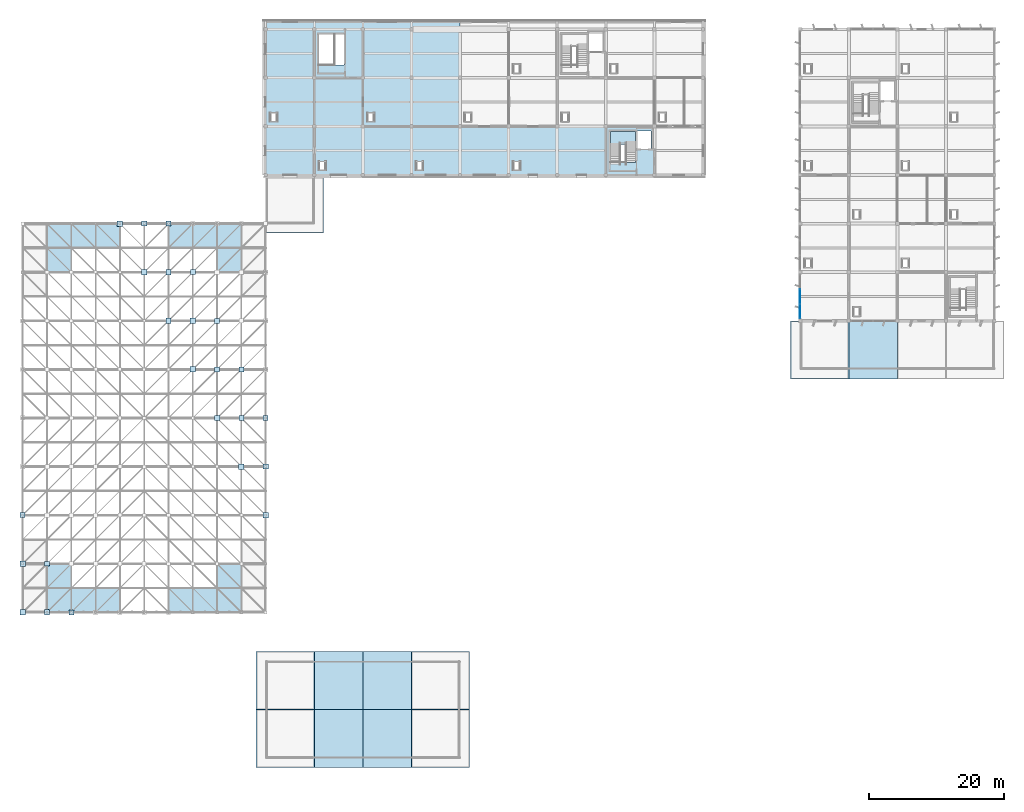
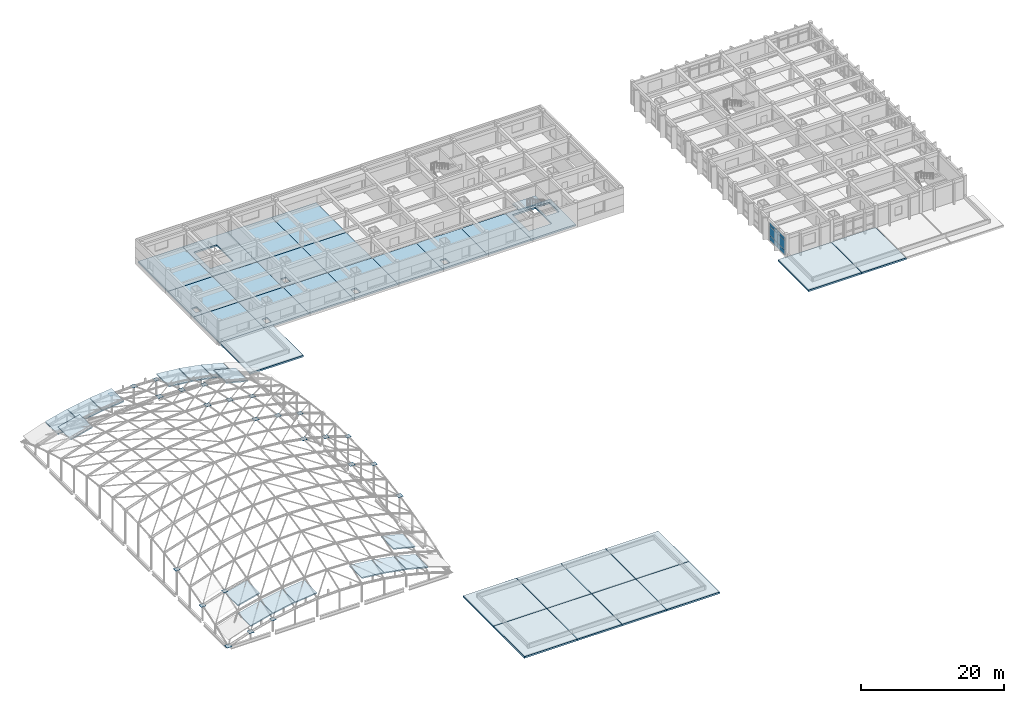
# One storey, part 24 of 40: 44 slabs, 30 plates, 2 elements without a shape of their own.
"""IFC4 building model written with IfcOpenShell, lengths in metres."""

from ifc_helpers import new_model, si_unit, direction, frame, origin, origin_2d, place, context, subcontext, project, spatial, polyline, rectangle, outline, extrude, material, layer, layer_set, type_object, element, aggregate, save


model = new_model("IFC4")

# Units and contexts
model_context = context("Model", 3, precision=1e-05, world=origin(), true_north=direction((0.0, 1.0)))
body_context = subcontext(model_context, "Body", "Model", "MODEL_VIEW")
ifc_project = project(units=[si_unit("LENGTHUNIT", "METRE"), si_unit("AREAUNIT", "SQUARE_METRE"), si_unit("VOLUMEUNIT", "CUBIC_METRE"), si_unit("PLANEANGLEUNIT", "RADIAN"), si_unit("MASSUNIT", "GRAM", prefix="KILO")], contexts=[model_context])

# Site, building, storey
site_placement = place(None, origin())
site = spatial("IfcSite", under=ifc_project, at=site_placement, CompositionType="ELEMENT")
building_placement = place(site_placement, origin())
building = spatial("IfcBuilding", under=site, at=building_placement, Name="Kavelor Marine Aquarium", CompositionType="ELEMENT")
storey_placement = place(building_placement, frame((0.0, 0.0, 17.639892578125)))
storey = spatial("IfcBuildingStorey", under=building, at=storey_placement, Name="L04", CompositionType="ELEMENT", Elevation=17.639892578125)

# Curtain wall, plates
ifc_material_1 = material(Name="Thermally Broken Aluminium and Low-E Glass", Category="aluminium")
ifc_layer_1 = layer(ifc_material_1, 0.283935546875)
ifc_layer_set_1 = layer_set([ifc_layer_1], Name="CW-SYS18")
curtain_wall_type = type_object("IfcCurtainWallType", Name="CW-SYS18", PredefinedType="USERDEFINED", material=ifc_layer_set_1)
curtain_wall_placement = place(storey_placement, origin())
curtain_wall = element("IfcCurtainWall", 1, at=curtain_wall_placement, inside=storey, type_object=curtain_wall_type, Name="cw:y:L04:16_09", ObjectType="Curtain Wall", PredefinedType="USERDEFINED")
ifc_material_2 = material(Name="Solar-Control Double Low-E Glazing", Category="glass")
ifc_layer_2 = layer(ifc_material_2, 0.06005859375)
ifc_layer_set_2 = layer_set([ifc_layer_2], Name="CWP-18")
plate_type_1 = type_object("IfcPlateType", Name="CWP-18", PredefinedType="CURTAIN_PANEL", material=ifc_layer_set_2)
plate_1_placement = place(storey_placement, frame((118.39990234375, 71.199951171875, 0.074951171875), z_axis=(0.0, 0.0, 1.0), x_axis=(0.0, -1.0, 0.0)))
plate_1 = element("IfcPlate", 2, at=plate_1_placement, type_object=plate_type_1, Name="CW18 panel 2.1", PredefinedType="CURTAIN_PANEL", context=body_context, shape_type="SweptSolid", body=[
    extrude(rectangle(XDim=2.143310546875, YDim=0.06005859375, at=origin_2d()), origin(), (0.0, 0.0, 1.0), 0.78759765625),
])
plate_2_placement = place(storey_placement, frame((118.39990234375, 71.199951171875, 0.9375), z_axis=(0.0, 0.0, 1.0), x_axis=(0.0, -1.0, 0.0)))
plate_2 = element("IfcPlate", 3, at=plate_2_placement, type_object=plate_type_1, Name="CW18 panel 2.2", PredefinedType="CURTAIN_PANEL", context=body_context, shape_type="SweptSolid", body=[
    extrude(rectangle(XDim=2.143310546875, YDim=0.06005859375, at=origin_2d()), origin(), (0.0, 0.0, 1.0), 1.4951171875),
])
plate_3_placement = place(storey_placement, frame((118.39990234375, 71.199951171875, 2.507568359375), z_axis=(0.0, 0.0, 1.0), x_axis=(0.0, -1.0, 0.0)))
plate_3 = element("IfcPlate", 4, at=plate_3_placement, type_object=plate_type_1, Name="CW18 panel 2.3", PredefinedType="CURTAIN_PANEL", context=body_context, shape_type="SweptSolid", body=[
    extrude(rectangle(XDim=2.143310546875, YDim=0.06005859375, at=origin_2d()), origin(), (0.0, 0.0, 1.0), 0.53759765625),
])
plate_4_placement = place(storey_placement, frame((118.39990234375, 69.01171875, 0.074951171875), z_axis=(0.0, 0.0, 1.0), x_axis=(0.0, -1.0, 0.0)))
plate_4 = element("IfcPlate", 5, at=plate_4_placement, type_object=plate_type_1, Name="CW18 panel 3.1", PredefinedType="CURTAIN_PANEL", context=body_context, shape_type="SweptSolid", body=[
    extrude(rectangle(XDim=2.11328125, YDim=0.06005859375, at=origin_2d()), origin(), (0.0, 0.0, 1.0), 0.78759765625),
])
plate_5_placement = place(storey_placement, frame((118.39990234375, 69.01171875, 0.9375), z_axis=(0.0, 0.0, 1.0), x_axis=(0.0, -1.0, 0.0)))
plate_5 = element("IfcPlate", 6, at=plate_5_placement, type_object=plate_type_1, Name="CW18 panel 3.2", PredefinedType="CURTAIN_PANEL", context=body_context, shape_type="SweptSolid", body=[
    extrude(rectangle(XDim=2.11328125, YDim=0.06005859375, at=origin_2d()), origin(), (0.0, 0.0, 1.0), 1.4951171875),
])
plate_6_placement = place(storey_placement, frame((118.39990234375, 69.01171875, 2.507568359375), z_axis=(0.0, 0.0, 1.0), x_axis=(0.0, -1.0, 0.0)))
plate_6 = element("IfcPlate", 7, at=plate_6_placement, type_object=plate_type_1, Name="CW18 panel 3.3", PredefinedType="CURTAIN_PANEL", context=body_context, shape_type="SweptSolid", body=[
    extrude(rectangle(XDim=2.11328125, YDim=0.06005859375, at=origin_2d()), origin(), (0.0, 0.0, 1.0), 0.53759765625),
])
aggregate(curtain_wall, [plate_1, plate_2, plate_3, plate_4, plate_5, plate_6])

# Stair, slab
ifc_material_3 = material(Name="Concrete C40/50", Category="concrete")
stair_type = type_object("IfcStairType", Name="ST-T5", PredefinedType="HALF_TURN_STAIR", material=ifc_material_3)
stair_placement = place(storey_placement, origin())
stair = element("IfcStair", 8, at=stair_placement, inside=storey, type_object=stair_type, Name="Exit Stair ST07 (L04)", PredefinedType="HALF_TURN_STAIR")
ifc_material_4 = material(Name="Concrete C40/50", Category="concrete")
ifc_layer_3 = layer(ifc_material_4, 0.199951171875)
ifc_layer_set_3 = layer_set([ifc_layer_3], Name="LND-T5")
slab_type_1 = type_object("IfcSlabType", Name="LND-T5", PredefinedType="LANDING", material=ifc_layer_set_3)
slab_1_placement = place(storey_placement, frame((0.0, 0.0, 1.780029296875)))
slab_1 = element("IfcSlab", 9, at=slab_1_placement, type_object=slab_type_1, Name="ST07 landing 1", PredefinedType="LANDING", context=body_context, shape_type="SweptSolid", body=[
    extrude(outline(polyline([(90.260009765625, 93.748046875), (94.02001953125, 93.748046875), (94.02001953125, 95.659912109375), (90.260009765625, 95.659912109375), (90.260009765625, 93.748046875)])), origin(), (0.0, 0.0, 1.0), 0.2001953125),
])
aggregate(stair, [slab_1])

# Plates
ifc_material_5 = material(Name="Steel S355", Category="steel")
ifc_layer_4 = layer(ifc_material_5, 0.034423828125)
ifc_layer_set_4 = layer_set([ifc_layer_4], Name="PL-GP01")
plate_type_2 = type_object("IfcPlateType", Name="PL-GP01", PredefinedType="SHEET", material=ifc_layer_set_4)
for number, where, z_axis, x_axis, name in (
    (10, (3.199951171875, 24.39990234375, -0.01708984375), (0.0, 0.0, 1.0), (1.0, 0.0, 0.0), "gs:gusset:00_00"),
    (11, (17.60009765625, 82.0, 3.07275390625), (0.0, 0.0, 1.0), (1.0, 0.0, 0.0), "gs:gusset:04_16"),
    (12, (21.199951171875, 74.800048828125, 5.78662109375), (0.0, 0.0, 1.0), (1.0, 0.0, 0.0), "gs:gusset:05_14"),
    (13, (24.800048828125, 67.60009765625, 7.45458984375), (0.0, 0.0, 1.0), (1.0, 0.0, 0.0), "gs:gusset:06_12"),
    (14, (28.39990234375, 60.39990234375, 8.1337890625), (0.0, 0.0, 1.0), (1.0, 0.0, 0.0), "gs:gusset:07_10"),
    (15, (32.0, 53.199951171875, 7.84912109375), (0.0, 0.0, 1.0), (1.0, 0.0, 0.0), "gs:gusset:08_08"),
    (16, (35.60009765625, 46.0, 6.60107421875), (0.0, 0.0, 1.0), (1.0, 0.0, 0.0), "gs:gusset:09_06"),
    (17, (39.199951171875, 38.800048828125, 4.36474609375), (0.0, 0.0, 1.0), (1.0, 0.0, 0.0), "gs:gusset:10_04"),
):
    element("IfcPlate", number, at=place(storey_placement, frame(where, z_axis=z_axis, x_axis=x_axis)), inside=storey, type_object=plate_type_2, Name=name, PredefinedType="SHEET", context=body_context, shape_type="SweptSolid", body=[
        extrude(rectangle(XDim=0.804931640625, YDim=0.804931640625, at=origin_2d()), origin(), (0.0, 0.0, 1.0), 0.034423828125),
    ])
ifc_material_6 = material(Name="Steel S355", Category="steel")
ifc_layer_5 = layer(ifc_material_6, 0.032958984375)
ifc_layer_set_5 = layer_set([ifc_layer_5], Name="PL-GP02")
plate_type_3 = type_object("IfcPlateType", Name="PL-GP02", PredefinedType="SHEET", material=ifc_layer_set_5)
for number, where, z_axis, x_axis, name in (
    (18, (3.199951171875, 31.60009765625, 2.572265625), (0.0, 0.0, 1.0), (1.0, 0.0, 0.0), "gs:gusset:00_02"),
    (19, (6.800048828125, 24.39990234375, 1.16455078125), (0.0, 0.0, 1.0), (1.0, 0.0, 0.0), "gs:gusset:01_00"),
    (20, (21.199951171875, 82.0, 3.1982421875), (0.0, 0.0, 1.0), (1.0, 0.0, 0.0), "gs:gusset:05_16"),
    (21, (24.800048828125, 74.800048828125, 5.66259765625), (0.0, 0.0, 1.0), (1.0, 0.0, 0.0), "gs:gusset:06_14"),
    (22, (28.39990234375, 67.60009765625, 7.0791015625), (0.0, 0.0, 1.0), (1.0, 0.0, 0.0), "gs:gusset:07_12"),
    (23, (32.0, 60.39990234375, 7.50146484375), (0.0, 0.0, 1.0), (1.0, 0.0, 0.0), "gs:gusset:08_10"),
    (24, (35.60009765625, 53.199951171875, 6.9501953125), (0.0, 0.0, 1.0), (1.0, 0.0, 0.0), "gs:gusset:09_08"),
    (25, (39.199951171875, 46.0, 5.42041015625), (0.0, 0.0, 1.0), (1.0, 0.0, 0.0), "gs:gusset:10_06"),
):
    element("IfcPlate", number, at=place(storey_placement, frame(where, z_axis=z_axis, x_axis=x_axis)), inside=storey, type_object=plate_type_3, Name=name, PredefinedType="SHEET", context=body_context, shape_type="SweptSolid", body=[
        extrude(rectangle(XDim=0.77001953125, YDim=0.77001953125, at=origin_2d()), origin(), (0.0, 0.0, 1.0), 0.032958984375),
    ])
ifc_material_7 = material(Name="Steel S355", Category="steel")
ifc_layer_6 = layer(ifc_material_7, 0.031494140625)
ifc_layer_set_6 = layer_set([ifc_layer_6], Name="PL-GP03")
plate_type_4 = type_object("IfcPlateType", Name="PL-GP03", PredefinedType="SHEET", material=ifc_layer_set_6)
for number, where, z_axis, x_axis, name in (
    (26, (3.199951171875, 38.800048828125, 4.3662109375), (0.0, 0.0, 1.0), (1.0, 0.0, 0.0), "gs:gusset:00_04"),
    (27, (6.800048828125, 31.60009765625, 3.75439453125), (0.0, 0.0, 1.0), (1.0, 0.0, 0.0), "gs:gusset:01_02"),
    (28, (10.39990234375, 24.39990234375, 2.0654296875), (0.0, 0.0, 1.0), (1.0, 0.0, 0.0), "gs:gusset:02_00"),
    (29, (24.800048828125, 82.0, 3.07421875), (0.0, 0.0, 1.0), (1.0, 0.0, 0.0), "gs:gusset:06_16"),
    (30, (28.39990234375, 74.800048828125, 5.287109375), (0.0, 0.0, 1.0), (1.0, 0.0, 0.0), "gs:gusset:07_14"),
    (31, (32.0, 67.60009765625, 6.447265625), (0.0, 0.0, 1.0), (1.0, 0.0, 0.0), "gs:gusset:08_12"),
    (32, (35.60009765625, 60.39990234375, 6.6025390625), (0.0, 0.0, 1.0), (1.0, 0.0, 0.0), "gs:gusset:09_10"),
    (33, (39.199951171875, 53.199951171875, 5.76953125), (0.0, 0.0, 1.0), (1.0, 0.0, 0.0), "gs:gusset:10_08"),
):
    element("IfcPlate", number, at=place(storey_placement, frame(where, z_axis=z_axis, x_axis=x_axis)), inside=storey, type_object=plate_type_4, Name=name, PredefinedType="SHEET", context=body_context, shape_type="SweptSolid", body=[
        extrude(rectangle(XDim=0.735107421875, YDim=0.735107421875, at=origin_2d()), origin(), (0.0, 0.0, 1.0), 0.031494140625),
    ])

# Slabs
ifc_material_8 = material(Name="Concrete C40/50", Category="concrete")
ifc_layer_7 = layer(ifc_material_8, 0.280029296875)
ifc_layer_set_7 = layer_set([ifc_layer_7], Name="SL-FL2")
slab_type_2 = type_object("IfcSlabType", Name="SL-FL2", PredefinedType="FLOOR", material=ifc_layer_set_7)
slab_2_placement = place(storey_placement, frame((0.0, 0.0, -0.27978515625)))
element("IfcSlab", 34, at=slab_2_placement, inside=storey, type_object=slab_type_2, Name="slab:L04:06_12", PredefinedType="FLOOR", context=body_context, shape_type="SweptSolid", body=[
    extrude(outline(polyline([(46.39990234375, 89.199951171875), (53.60009765625, 89.199951171875), (53.60009765625, 96.39990234375), (46.39990234375, 96.39990234375), (46.39990234375, 89.199951171875)]), holes=[polyline([(47.14990234375, 89.949951171875), (48.050048828125, 89.949951171875), (48.050048828125, 91.14990234375), (47.14990234375, 91.14990234375), (47.14990234375, 89.949951171875)])]), origin(), (0.0, 0.0, 1.0), 0.27978515625),
])
slab_3_placement = place(storey_placement, frame((0.0, 0.0, -0.27978515625)))
element("IfcSlab", 35, at=slab_3_placement, inside=storey, type_object=slab_type_2, Name="slab:L04:06_13", PredefinedType="FLOOR", context=body_context, shape_type="SweptSolid", body=[
    extrude(outline(polyline([(46.39990234375, 96.39990234375), (53.60009765625, 96.39990234375), (53.60009765625, 103.60009765625), (46.39990234375, 103.60009765625), (46.39990234375, 96.39990234375)])), origin(), (0.0, 0.0, 1.0), 0.27978515625),
])
slab_4_placement = place(storey_placement, frame((0.0, 0.0, -0.27978515625)))
element("IfcSlab", 36, at=slab_4_placement, inside=storey, type_object=slab_type_2, Name="slab:L04:06_14", PredefinedType="FLOOR", context=body_context, shape_type="SweptSolid", body=[
    extrude(outline(polyline([(46.39990234375, 103.60009765625), (53.60009765625, 103.60009765625), (53.60009765625, 112.0400390625), (46.39990234375, 112.0400390625), (46.39990234375, 103.60009765625)]), holes=[polyline([(47.080078125, 105.48291015625), (50.800048828125, 105.48291015625), (50.800048828125, 110.070068359375), (47.080078125, 110.070068359375), (47.080078125, 105.48291015625)])]), origin(), (0.0, 0.0, 1.0), 0.27978515625),
])
slab_5_placement = place(storey_placement, frame((0.0, 0.0, -0.27978515625)))
element("IfcSlab", 37, at=slab_5_placement, inside=storey, type_object=slab_type_2, Name="slab:L04:08_12", PredefinedType="FLOOR", context=body_context, shape_type="SweptSolid", body=[
    extrude(outline(polyline([(60.800048828125, 89.199951171875), (68.0, 89.199951171875), (68.0, 96.39990234375), (60.800048828125, 96.39990234375), (60.800048828125, 89.199951171875)]), holes=[polyline([(61.550048828125, 89.949951171875), (62.449951171875, 89.949951171875), (62.449951171875, 91.14990234375), (61.550048828125, 91.14990234375), (61.550048828125, 89.949951171875)])]), origin(), (0.0, 0.0, 1.0), 0.27978515625),
])
slab_6_placement = place(storey_placement, frame((0.0, 0.0, -0.27978515625)))
element("IfcSlab", 38, at=slab_6_placement, inside=storey, type_object=slab_type_2, Name="slab:L04:08_13", PredefinedType="FLOOR", context=body_context, shape_type="SweptSolid", body=[
    extrude(outline(polyline([(60.800048828125, 96.39990234375), (68.0, 96.39990234375), (68.0, 103.60009765625), (60.800048828125, 103.60009765625), (60.800048828125, 96.39990234375)])), origin(), (0.0, 0.0, 1.0), 0.27978515625),
])
slab_7_placement = place(storey_placement, frame((0.0, 0.0, -0.27978515625)))
element("IfcSlab", 39, at=slab_7_placement, inside=storey, type_object=slab_type_2, Name="slab:L04:08_14", PredefinedType="FLOOR", context=body_context, shape_type="SweptSolid", body=[
    extrude(outline(polyline([(60.800048828125, 103.60009765625), (68.0, 103.60009765625), (68.0, 112.0400390625), (60.800048828125, 112.0400390625), (60.800048828125, 103.60009765625)])), origin(), (0.0, 0.0, 1.0), 0.27978515625),
])
slab_8_placement = place(storey_placement, frame((0.0, 0.0, -0.27978515625)))
element("IfcSlab", 40, at=slab_8_placement, inside=storey, type_object=slab_type_2, Name="slab:L04:10_12", PredefinedType="FLOOR", context=body_context, shape_type="SweptSolid", body=[
    extrude(outline(polyline([(75.199951171875, 89.199951171875), (82.39990234375, 89.199951171875), (82.39990234375, 96.39990234375), (75.199951171875, 96.39990234375), (75.199951171875, 89.199951171875)]), holes=[polyline([(75.949951171875, 89.949951171875), (76.85009765625, 89.949951171875), (76.85009765625, 91.14990234375), (75.949951171875, 91.14990234375), (75.949951171875, 89.949951171875)])]), origin(), (0.0, 0.0, 1.0), 0.27978515625),
])
slab_9_placement = place(storey_placement, frame((0.0, 0.0, -0.27978515625)))
element("IfcSlab", 41, at=slab_9_placement, inside=storey, type_object=slab_type_2, Name="slab:L04:12_12", PredefinedType="FLOOR", context=body_context, shape_type="SweptSolid", body=[
    extrude(outline(polyline([(89.60009765625, 89.199951171875), (96.800048828125, 89.199951171875), (96.800048828125, 96.39990234375), (89.60009765625, 96.39990234375), (89.60009765625, 89.199951171875)]), holes=[polyline([(90.280029296875, 91.0830078125), (94.0, 91.0830078125), (94.0, 95.669921875), (90.280029296875, 95.669921875), (90.280029296875, 91.0830078125)]), polyline([(94.260009765625, 93.050048828125), (96.300048828125, 93.050048828125), (96.300048828125, 95.75), (94.199951171875, 95.75), (94.260009765625, 93.050048828125)])]), origin(), (0.0, 0.0, 1.0), 0.27978515625),
])
ifc_material_9 = material(Name="Concrete C40/50", Category="concrete")
ifc_layer_8 = layer(ifc_material_9, 0.260009765625)
ifc_layer_set_8 = layer_set([ifc_layer_8], Name="SL-FL3")
slab_type_3 = type_object("IfcSlabType", Name="SL-FL3", PredefinedType="FLOOR", material=ifc_layer_set_8)
slab_10_placement = place(storey_placement, frame((0.0, 0.0, -0.260009765625)))
element("IfcSlab", 42, at=slab_10_placement, inside=storey, type_object=slab_type_3, Name="slab:L04:05_12", PredefinedType="FLOOR", context=body_context, shape_type="SweptSolid", body=[
    extrude(outline(polyline([(39.199951171875, 89.199951171875), (46.39990234375, 89.199951171875), (46.39990234375, 96.39990234375), (39.199951171875, 96.39990234375), (39.199951171875, 89.199951171875)])), origin(), (0.0, 0.0, 1.0), 0.260009765625),
])
slab_11_placement = place(storey_placement, frame((0.0, 0.0, -0.260009765625)))
element("IfcSlab", 43, at=slab_11_placement, inside=storey, type_object=slab_type_3, Name="slab:L04:05_13", PredefinedType="FLOOR", context=body_context, shape_type="SweptSolid", body=[
    extrude(outline(polyline([(39.199951171875, 96.39990234375), (46.39990234375, 96.39990234375), (46.39990234375, 103.60009765625), (39.199951171875, 103.60009765625), (39.199951171875, 96.39990234375)]), holes=[polyline([(39.949951171875, 97.14990234375), (40.85009765625, 97.14990234375), (40.85009765625, 98.35009765625), (39.949951171875, 98.35009765625), (39.949951171875, 97.14990234375)])]), origin(), (0.0, 0.0, 1.0), 0.260009765625),
])
slab_12_placement = place(storey_placement, frame((0.0, 0.0, -0.260009765625)))
element("IfcSlab", 44, at=slab_12_placement, inside=storey, type_object=slab_type_3, Name="slab:L04:05_14", PredefinedType="FLOOR", context=body_context, shape_type="SweptSolid", body=[
    extrude(outline(polyline([(39.199951171875, 103.60009765625), (46.39990234375, 103.60009765625), (46.39990234375, 112.0400390625), (39.199951171875, 112.0400390625), (39.199951171875, 103.60009765625)])), origin(), (0.0, 0.0, 1.0), 0.260009765625),
])
slab_13_placement = place(storey_placement, frame((0.0, 0.0, -0.260009765625)))
element("IfcSlab", 45, at=slab_13_placement, inside=storey, type_object=slab_type_3, Name="slab:L04:07_12", PredefinedType="FLOOR", context=body_context, shape_type="SweptSolid", body=[
    extrude(outline(polyline([(53.60009765625, 89.199951171875), (60.800048828125, 89.199951171875), (60.800048828125, 96.39990234375), (53.60009765625, 96.39990234375), (53.60009765625, 89.199951171875)])), origin(), (0.0, 0.0, 1.0), 0.260009765625),
])
slab_14_placement = place(storey_placement, frame((0.0, 0.0, -0.260009765625)))
element("IfcSlab", 46, at=slab_14_placement, inside=storey, type_object=slab_type_3, Name="slab:L04:07_13", PredefinedType="FLOOR", context=body_context, shape_type="SweptSolid", body=[
    extrude(outline(polyline([(53.60009765625, 96.39990234375), (60.800048828125, 96.39990234375), (60.800048828125, 103.60009765625), (53.60009765625, 103.60009765625), (53.60009765625, 96.39990234375)]), holes=[polyline([(54.35009765625, 97.14990234375), (55.25, 97.14990234375), (55.25, 98.35009765625), (54.35009765625, 98.35009765625), (54.35009765625, 97.14990234375)])]), origin(), (0.0, 0.0, 1.0), 0.260009765625),
])
slab_15_placement = place(storey_placement, frame((0.0, 0.0, -0.260009765625)))
element("IfcSlab", 47, at=slab_15_placement, inside=storey, type_object=slab_type_3, Name="slab:L04:07_14", PredefinedType="FLOOR", context=body_context, shape_type="SweptSolid", body=[
    extrude(outline(polyline([(53.60009765625, 103.60009765625), (60.800048828125, 103.60009765625), (60.800048828125, 112.0400390625), (53.60009765625, 112.0400390625), (53.60009765625, 103.60009765625)])), origin(), (0.0, 0.0, 1.0), 0.260009765625),
])
slab_16_placement = place(storey_placement, frame((0.0, 0.0, -0.260009765625)))
element("IfcSlab", 48, at=slab_16_placement, inside=storey, type_object=slab_type_3, Name="slab:L04:09_12", PredefinedType="FLOOR", context=body_context, shape_type="SweptSolid", body=[
    extrude(outline(polyline([(68.0, 89.199951171875), (75.199951171875, 89.199951171875), (75.199951171875, 96.39990234375), (68.0, 96.39990234375), (68.0, 89.199951171875)])), origin(), (0.0, 0.0, 1.0), 0.260009765625),
])
slab_17_placement = place(storey_placement, frame((0.0, 0.0, -0.260009765625)))
element("IfcSlab", 49, at=slab_17_placement, inside=storey, type_object=slab_type_3, Name="slab:L04:11_12", PredefinedType="FLOOR", context=body_context, shape_type="SweptSolid", body=[
    extrude(outline(polyline([(82.39990234375, 89.199951171875), (89.60009765625, 89.199951171875), (89.60009765625, 96.39990234375), (82.39990234375, 96.39990234375), (82.39990234375, 89.199951171875)])), origin(), (0.0, 0.0, 1.0), 0.260009765625),
])
ifc_material_10 = material(Name="Concrete C40/50", Category="concrete")
ifc_layer_9 = layer(ifc_material_10, 0.280029296875)
ifc_layer_set_9 = layer_set([ifc_layer_9], Name="SL-RF1")
slab_type_4 = type_object("IfcSlabType", Name="SL-RF1", PredefinedType="ROOF", material=ifc_layer_set_9)
slab_18_placement = place(storey_placement, frame((0.0, 0.0, -0.27978515625)))
element("IfcSlab", 50, at=slab_18_placement, inside=storey, type_object=slab_type_4, Name="roof:L04:05_00", PredefinedType="ROOF", context=body_context, shape_type="SweptSolid", body=[
    extrude(outline(polyline([(37.800048828125, 1.39990234375), (46.39990234375, 1.39990234375), (46.39990234375, 10.0), (37.800048828125, 10.0), (37.800048828125, 1.39990234375)])), origin(), (0.0, 0.0, 1.0), 0.27978515625),
])
slab_19_placement = place(storey_placement, frame((0.0, 0.0, -0.27978515625)))
element("IfcSlab", 51, at=slab_19_placement, inside=storey, type_object=slab_type_4, Name="roof:L04:05_01", PredefinedType="ROOF", context=body_context, shape_type="SweptSolid", body=[
    extrude(outline(polyline([(37.800048828125, 10.0), (46.39990234375, 10.0), (46.39990234375, 18.60009765625), (37.800048828125, 18.60009765625), (37.800048828125, 10.0)])), origin(), (0.0, 0.0, 1.0), 0.27978515625),
])
slab_20_placement = place(storey_placement, frame((0.0, 0.0, -0.27978515625)))
element("IfcSlab", 52, at=slab_20_placement, inside=storey, type_object=slab_type_4, Name="roof:L04:05_11", PredefinedType="ROOF", context=body_context, shape_type="SweptSolid", body=[
    extrude(outline(polyline([(39.199951171875, 80.60009765625), (47.800048828125, 80.60009765625), (47.800048828125, 89.199951171875), (39.199951171875, 89.199951171875), (39.199951171875, 80.60009765625)])), origin(), (0.0, 0.0, 1.0), 0.27978515625),
])
slab_21_placement = place(storey_placement, frame((0.0, 0.0, -0.27978515625)))
element("IfcSlab", 53, at=slab_21_placement, inside=storey, type_object=slab_type_4, Name="roof:L04:06_00", PredefinedType="ROOF", context=body_context, shape_type="SweptSolid", body=[
    extrude(outline(polyline([(46.39990234375, 1.39990234375), (53.60009765625, 1.39990234375), (53.60009765625, 10.0), (46.39990234375, 10.0), (46.39990234375, 1.39990234375)])), origin(), (0.0, 0.0, 1.0), 0.27978515625),
])
slab_22_placement = place(storey_placement, frame((0.0, 0.0, -0.27978515625)))
element("IfcSlab", 54, at=slab_22_placement, inside=storey, type_object=slab_type_4, Name="roof:L04:06_01", PredefinedType="ROOF", context=body_context, shape_type="SweptSolid", body=[
    extrude(outline(polyline([(46.39990234375, 10.0), (53.60009765625, 10.0), (53.60009765625, 18.60009765625), (46.39990234375, 18.60009765625), (46.39990234375, 10.0)])), origin(), (0.0, 0.0, 1.0), 0.27978515625),
])
slab_23_placement = place(storey_placement, frame((0.0, 0.0, -0.27978515625)))
element("IfcSlab", 55, at=slab_23_placement, inside=storey, type_object=slab_type_4, Name="roof:L04:07_00", PredefinedType="ROOF", context=body_context, shape_type="SweptSolid", body=[
    extrude(outline(polyline([(53.60009765625, 1.39990234375), (60.800048828125, 1.39990234375), (60.800048828125, 10.0), (53.60009765625, 10.0), (53.60009765625, 1.39990234375)])), origin(), (0.0, 0.0, 1.0), 0.27978515625),
])
slab_24_placement = place(storey_placement, frame((0.0, 0.0, -0.27978515625)))
element("IfcSlab", 56, at=slab_24_placement, inside=storey, type_object=slab_type_4, Name="roof:L04:07_01", PredefinedType="ROOF", context=body_context, shape_type="SweptSolid", body=[
    extrude(outline(polyline([(53.60009765625, 10.0), (60.800048828125, 10.0), (60.800048828125, 18.60009765625), (53.60009765625, 18.60009765625), (53.60009765625, 10.0)])), origin(), (0.0, 0.0, 1.0), 0.27978515625),
])
slab_25_placement = place(storey_placement, frame((0.0, 0.0, -0.27978515625)))
element("IfcSlab", 57, at=slab_25_placement, inside=storey, type_object=slab_type_4, Name="roof:L04:08_00", PredefinedType="ROOF", context=body_context, shape_type="SweptSolid", body=[
    extrude(outline(polyline([(60.800048828125, 1.39990234375), (69.39990234375, 1.39990234375), (69.39990234375, 10.0), (60.800048828125, 10.0), (60.800048828125, 1.39990234375)])), origin(), (0.0, 0.0, 1.0), 0.27978515625),
])
slab_26_placement = place(storey_placement, frame((0.0, 0.0, -0.27978515625)))
element("IfcSlab", 58, at=slab_26_placement, inside=storey, type_object=slab_type_4, Name="roof:L04:08_01", PredefinedType="ROOF", context=body_context, shape_type="SweptSolid", body=[
    extrude(outline(polyline([(60.800048828125, 10.0), (69.39990234375, 10.0), (69.39990234375, 18.60009765625), (60.800048828125, 18.60009765625), (60.800048828125, 10.0)])), origin(), (0.0, 0.0, 1.0), 0.27978515625),
])
slab_27_placement = place(storey_placement, frame((0.0, 0.0, -0.27978515625)))
element("IfcSlab", 59, at=slab_27_placement, inside=storey, type_object=slab_type_4, Name="roof:L04:16_08", PredefinedType="ROOF", context=body_context, shape_type="SweptSolid", body=[
    extrude(outline(polyline([(117.0, 59.0), (125.60009765625, 59.0), (125.60009765625, 67.60009765625), (117.0, 67.60009765625), (117.0, 59.0)])), origin(), (0.0, 0.0, 1.0), 0.27978515625),
])
slab_28_placement = place(storey_placement, frame((0.0, 0.0, -0.27978515625)))
element("IfcSlab", 60, at=slab_28_placement, inside=storey, type_object=slab_type_4, Name="roof:L04:17_08", PredefinedType="ROOF", context=body_context, shape_type="SweptSolid", body=[
    extrude(outline(polyline([(125.60009765625, 59.0), (132.800048828125, 59.0), (132.800048828125, 67.60009765625), (125.60009765625, 67.60009765625), (125.60009765625, 59.0)])), origin(), (0.0, 0.0, 1.0), 0.27978515625),
])
ifc_material_11 = material(Name="Concrete C45/55", Category="concrete")
ifc_layer_10 = layer(ifc_material_11, 0.199951171875)
ifc_layer_set_10 = layer_set([ifc_layer_10], Name="SL-RF4")
slab_type_5 = type_object("IfcSlabType", Name="SL-RF4", PredefinedType="ROOF", material=ifc_layer_set_10)
for number, where, z_axis, x_axis, name in (
    (61, (6.840087890625, 28.0400390625, 3.489990234375), (-0.247623498685, 0.0, 0.968856337596), (0.968856337596, 0.0, 0.247623498685), "gs:roof:01_01"),
    (62, (6.840087890625, 78.43994140625, 2.195556640625), (-0.247623498685, 0.0, 0.968856337596), (0.968856337596, 0.0, 0.247623498685), "gs:roof:01_15"),
):
    element("IfcSlab", number, at=place(storey_placement, frame(where, z_axis=z_axis, x_axis=x_axis)), inside=storey, type_object=slab_type_5, Name=name, PredefinedType="ROOF", context=body_context, shape_type="SweptSolid", body=[
        extrude(outline(polyline([(0.0, 0.0), (3.6331697431900394, 0.0), (3.6331697431900394, 3.52001953125), (0.0, 3.52001953125), (0.0, 0.0)])), origin(), (0.0, 0.0, -1.0), 0.199951171875),
    ])
slab_29_placement = place(storey_placement, frame((10.43994140625, 24.43994140625, 3.09521484375), z_axis=(-0.177004886862, 0.0, 0.98420997253), x_axis=(0.98420997253, 0.0, 0.177004886862)))
element("IfcSlab", 63, at=slab_29_placement, inside=storey, type_object=slab_type_5, Name="gs:roof:02_00", PredefinedType="ROOF", context=body_context, shape_type="SweptSolid", body=[
    extrude(outline(polyline([(0.0, 0.0), (3.576492445206739, 0.0), (3.576492445206739, 3.52001953125), (0.0, 3.52001953125), (0.0, 0.0)])), origin(), (0.0, 0.0, -1.0), 0.199951171875),
])
for number, where, z_axis, x_axis, name in (
    (64, (14.0400390625, 78.43994140625, 3.728271484375), (-0.10627500151, 0.0, 0.994336775974), (0.994336775974, 0.0, 0.10627500151), "gs:roof:03_15"),
    (65, (24.840087890625, 24.43994140625, 4.1044921875), (0.10627500151, 0.0, 0.994336775974), (0.994336775974, 0.0, -0.10627500151), "gs:roof:06_00"),
):
    element("IfcSlab", number, at=place(storey_placement, frame(where, z_axis=z_axis, x_axis=x_axis)), inside=storey, type_object=slab_type_5, Name=name, PredefinedType="ROOF", context=body_context, shape_type="SweptSolid", body=[
        extrude(outline(polyline([(0.0, 0.0), (3.5400677278607735, 0.0), (3.5400677278607735, 3.52001953125), (0.0, 3.52001953125), (0.0, 0.0)])), origin(), (0.0, 0.0, -1.0), 0.199951171875),
    ])
slab_30_placement = place(storey_placement, frame((28.43994140625, 78.43994140625, 3.728271484375), z_axis=(0.177004886862, 0.0, 0.98420997253), x_axis=(0.98420997253, 0.0, -0.177004886862)))
element("IfcSlab", 66, at=slab_30_placement, inside=storey, type_object=slab_type_5, Name="gs:roof:07_15", PredefinedType="ROOF", context=body_context, shape_type="SweptSolid", body=[
    extrude(outline(polyline([(0.0, 0.0), (3.576492445206739, 0.0), (3.576492445206739, 3.52001953125), (0.0, 3.52001953125), (0.0, 0.0)])), origin(), (0.0, 0.0, -1.0), 0.199951171875),
])
for number, where, z_axis, x_axis, name in (
    (67, (32.0400390625, 24.43994140625, 3.09521484375), (0.247623498685, 0.0, 0.968856337596), (0.968856337596, 0.0, -0.247623498685), "gs:roof:08_00"),
    (68, (32.0400390625, 74.840087890625, 4.3896484375), (0.247623498685, 0.0, 0.968856337596), (0.968856337596, 0.0, -0.247623498685), "gs:roof:08_14"),
):
    element("IfcSlab", number, at=place(storey_placement, frame(where, z_axis=z_axis, x_axis=x_axis)), inside=storey, type_object=slab_type_5, Name=name, PredefinedType="ROOF", context=body_context, shape_type="SweptSolid", body=[
        extrude(outline(polyline([(0.0, 0.0), (3.6331697431900394, 0.0), (3.6331697431900394, 3.52001953125), (0.0, 3.52001953125), (0.0, 0.0)])), origin(), (0.0, 0.0, -1.0), 0.199951171875),
    ])
ifc_material_12 = material(Name="Concrete C45/55", Category="concrete")
ifc_layer_11 = layer(ifc_material_12, 0.179931640625)
ifc_layer_set_11 = layer_set([ifc_layer_11], Name="SL-RF5")
slab_type_6 = type_object("IfcSlabType", Name="SL-RF5", PredefinedType="ROOF", material=ifc_layer_set_11)
slab_31_placement = place(storey_placement, frame((6.840087890625, 24.43994140625, 2.175537109375), z_axis=(-0.247686574416, 0.0, 0.968840214305), x_axis=(0.968840214305, 0.0, 0.247686574416)))
element("IfcSlab", 69, at=slab_31_placement, inside=storey, type_object=slab_type_6, Name="gs:roof:01_00", PredefinedType="ROOF", context=body_context, shape_type="SweptSolid", body=[
    extrude(outline(polyline([(0.0, 0.0), (3.6332302058455115, 0.0), (3.6332302058455115, 3.520019531250001), (0.0, 3.520019531250001), (0.0, 0.0)])), origin(), (0.0, 0.0, -1.0), 0.179931640625),
])
slab_32_placement = place(storey_placement, frame((6.840087890625, 74.840087890625, 3.469970703125), z_axis=(-0.247623498685, 0.0, 0.968856337596), x_axis=(0.968856337596, 0.0, 0.247623498685)))
element("IfcSlab", 70, at=slab_32_placement, inside=storey, type_object=slab_type_6, Name="gs:roof:01_14", PredefinedType="ROOF", context=body_context, shape_type="SweptSolid", body=[
    extrude(outline(polyline([(0.0, 0.0), (3.6331697431900394, 0.0), (3.6331697431900394, 3.52001953125), (0.0, 3.52001953125), (0.0, 0.0)])), origin(), (0.0, 0.0, -1.0), 0.179931640625),
])
slab_33_placement = place(storey_placement, frame((10.43994140625, 78.43994140625, 3.075439453125), z_axis=(-0.176938761793, 0.0, 0.984221862476), x_axis=(0.984221862476, 0.0, 0.176938761793)))
element("IfcSlab", 71, at=slab_33_placement, inside=storey, type_object=slab_type_6, Name="gs:roof:02_15", PredefinedType="ROOF", context=body_context, shape_type="SweptSolid", body=[
    extrude(outline(polyline([(0.0, 0.0), (3.5764492391948917, 0.0), (3.5764492391948917, 3.52001953125), (0.0, 3.52001953125), (0.0, 0.0)])), origin(), (0.0, 0.0, -1.0), 0.179931640625),
])
for number, where, z_axis, x_axis, name in (
    (72, (14.0400390625, 24.43994140625, 3.708251953125), (-0.10627500151, 0.0, 0.994336775974), (0.994336775974, 0.0, 0.10627500151), "gs:roof:03_00"),
    (73, (24.840087890625, 78.43994140625, 4.08447265625), (0.10627500151, 0.0, 0.994336775974), (0.994336775974, 0.0, -0.10627500151), "gs:roof:06_15"),
):
    element("IfcSlab", number, at=place(storey_placement, frame(where, z_axis=z_axis, x_axis=x_axis)), inside=storey, type_object=slab_type_6, Name=name, PredefinedType="ROOF", context=body_context, shape_type="SweptSolid", body=[
        extrude(outline(polyline([(0.0, 0.0), (3.5400677278607735, 0.0), (3.5400677278607735, 3.52001953125), (0.0, 3.52001953125), (0.0, 0.0)])), origin(), (0.0, 0.0, -1.0), 0.179931640625),
    ])
slab_34_placement = place(storey_placement, frame((28.43994140625, 24.43994140625, 3.708251953125), z_axis=(0.176938761793, 0.0, 0.984221862476), x_axis=(0.984221862476, 0.0, -0.176938761793)))
element("IfcSlab", 74, at=slab_34_placement, inside=storey, type_object=slab_type_6, Name="gs:roof:07_00", PredefinedType="ROOF", context=body_context, shape_type="SweptSolid", body=[
    extrude(outline(polyline([(0.0, 0.0), (3.5764492391948917, 0.0), (3.5764492391948917, 3.52001953125), (0.0, 3.52001953125), (0.0, 0.0)])), origin(), (0.0, 0.0, -1.0), 0.179931640625),
])
slab_35_placement = place(storey_placement, frame((32.0400390625, 28.0400390625, 4.36962890625), z_axis=(0.247623498685, 0.0, 0.968856337596), x_axis=(0.968856337596, 0.0, -0.247623498685)))
element("IfcSlab", 75, at=slab_35_placement, inside=storey, type_object=slab_type_6, Name="gs:roof:08_01", PredefinedType="ROOF", context=body_context, shape_type="SweptSolid", body=[
    extrude(outline(polyline([(0.0, 0.0), (3.6331697431900394, 0.0), (3.6331697431900394, 3.52001953125), (0.0, 3.52001953125), (0.0, 0.0)])), origin(), (0.0, 0.0, -1.0), 0.179931640625),
])
slab_36_placement = place(storey_placement, frame((32.0400390625, 78.43994140625, 3.075439453125), z_axis=(0.247686574416, 0.0, 0.968840214305), x_axis=(0.968840214305, 0.0, -0.247686574416)))
element("IfcSlab", 76, at=slab_36_placement, inside=storey, type_object=slab_type_6, Name="gs:roof:08_15", PredefinedType="ROOF", context=body_context, shape_type="SweptSolid", body=[
    extrude(outline(polyline([(0.0, 0.0), (3.6332302058455115, 0.0), (3.6332302058455115, 3.520019531250001), (0.0, 3.520019531250001), (0.0, 0.0)])), origin(), (0.0, 0.0, -1.0), 0.179931640625),
])

save(model, "model.ifc")
